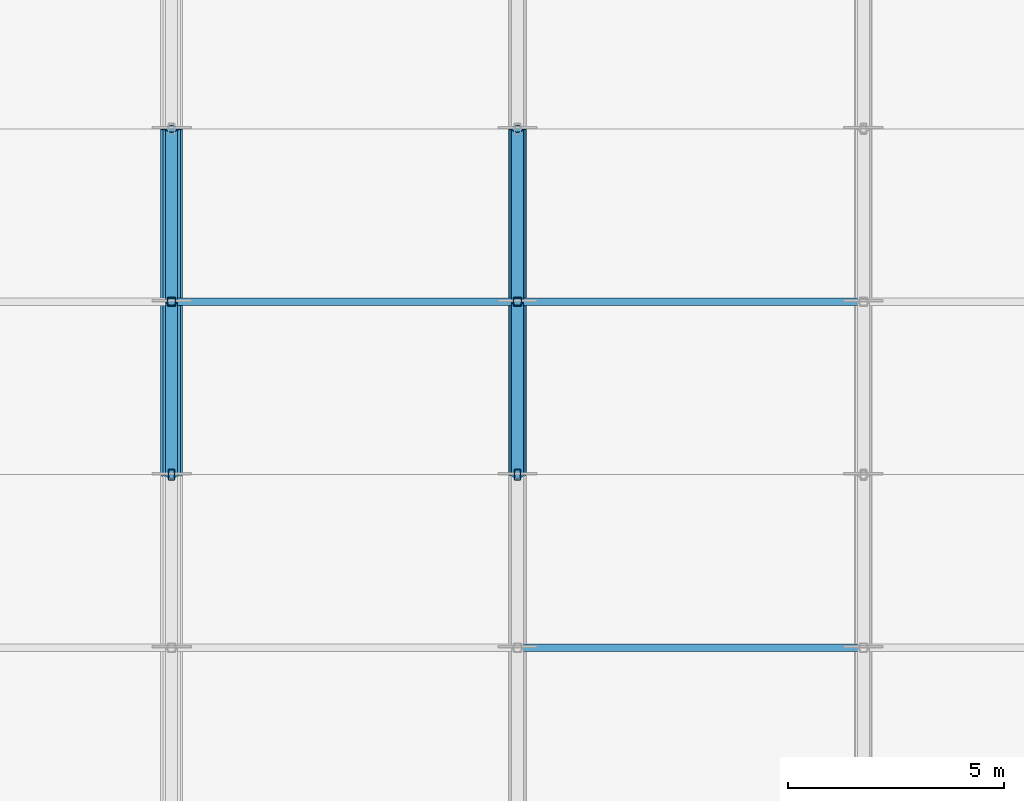
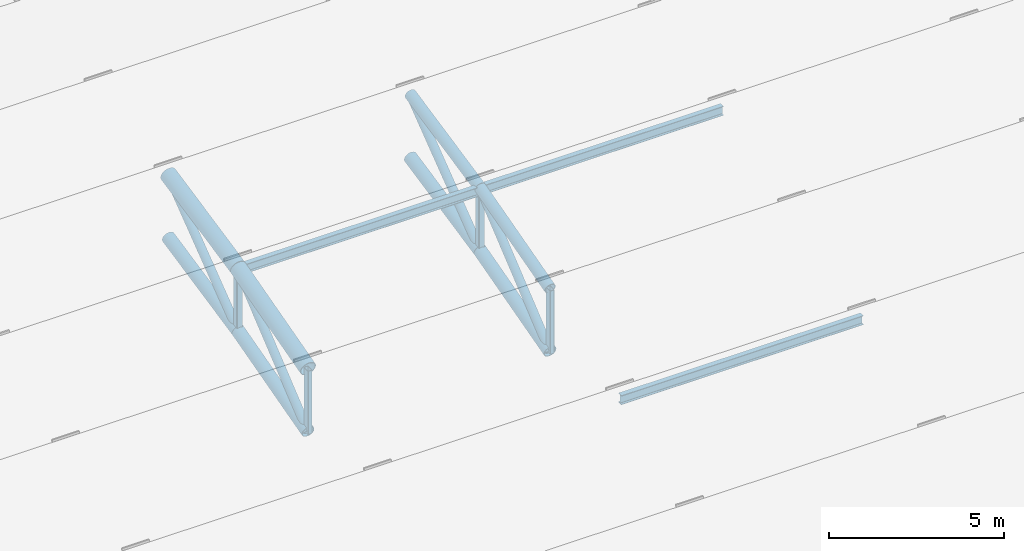
# One storey, part 12 of 98: 19 members.
"""IFC4 building model written with IfcOpenShell, lengths in metres."""

from ifc_helpers import new_model, si_unit, direction, frame, origin, origin_2d, place, context, subcontext, project, spatial, hollow_rectangle, hollow_circle, i_section, extrude, material, material_profile, profile_set, type_object, element, save


model = new_model("IFC4")

# Units and contexts
model_context = context("Model", 3, precision=1e-05, world=origin(), true_north=direction((0.0, 1.0)))
body_context = subcontext(model_context, "Body", "Model", "MODEL_VIEW")
ifc_project = project(units=[si_unit("LENGTHUNIT", "METRE"), si_unit("AREAUNIT", "SQUARE_METRE"), si_unit("VOLUMEUNIT", "CUBIC_METRE"), si_unit("PLANEANGLEUNIT", "RADIAN"), si_unit("MASSUNIT", "GRAM", prefix="KILO")], contexts=[model_context])

# Site, building, storey
site_placement = place(None, origin())
site = spatial("IfcSite", under=ifc_project, at=site_placement, CompositionType="ELEMENT")
building_placement = place(site_placement, origin())
building = spatial("IfcBuilding", under=site, at=building_placement, Name="Tlacozan Convention Centre", CompositionType="ELEMENT")
storey_placement = place(building_placement, frame((0.0, 0.0, 25.800048828125)))
storey = spatial("IfcBuildingStorey", under=building, at=storey_placement, Name="Roof", CompositionType="ELEMENT", Elevation=25.800048828125)

# Members
ifc_material_1 = material(Name="Steel ASTM A500 Grade C", Category="steel")
ifc_material_profile_1 = material_profile(ifc_material_1, hollow_circle(Radius=0.203125, WallThickness=0.015869140625, at=origin_2d()), Name="OC 406.4x15.9")
ifc_profile_set_1 = profile_set([ifc_material_profile_1], Name="Steel ASTM A500 Grade C")
member_type_1 = type_object("IfcMemberType", Name="Arch Bottom Chord OC 406.4x15.9", PredefinedType="CHORD", material=ifc_profile_set_1)
member_1_placement = place(storey_placement, frame((48.0, 74.0, -7.807861328125), z_axis=(0.0, 0.964289609145, 0.26485005134), x_axis=(-1.0, 0.0, 0.0)))
element("IfcMember", 1, at=member_1_placement, inside=storey, type_object=member_type_1, Name="V2A Roof Truss 7 Bottom Chord 4", PredefinedType="CHORD", context=body_context, shape_type="SweptSolid", body=[
    extrude(hollow_circle(Radius=0.203125, WallThickness=0.015869140625, at=origin_2d()), origin(), (0.0, 0.0, 1.0), 4.148193359375),
])
member_2_placement = place(storey_placement, frame((48.0, 78.0, -6.709228515625), z_axis=(0.0, 0.978552953366, 0.205995430674), x_axis=(-1.0, 0.0, 0.0)))
element("IfcMember", 2, at=member_2_placement, inside=storey, type_object=member_type_1, Name="V2A Roof Truss 7 Bottom Chord 5", PredefinedType="CHORD", context=body_context, shape_type="SweptSolid", body=[
    extrude(hollow_circle(Radius=0.203125, WallThickness=0.015869140625, at=origin_2d()), origin(), (0.0, 0.0, 1.0), 4.087646484375),
])
member_3_placement = place(storey_placement, frame((56.0, 74.0, -7.807861328125), z_axis=(0.0, 0.964289609145, 0.26485005134), x_axis=(-1.0, 0.0, 0.0)))
element("IfcMember", 3, at=member_3_placement, inside=storey, type_object=member_type_1, Name="V2A Roof Truss 8 Bottom Chord 4", PredefinedType="CHORD", context=body_context, shape_type="SweptSolid", body=[
    extrude(hollow_circle(Radius=0.203125, WallThickness=0.015869140625, at=origin_2d()), origin(), (0.0, 0.0, 1.0), 4.148193359375),
])
member_4_placement = place(storey_placement, frame((56.0, 78.0, -6.709228515625), z_axis=(0.0, 0.978552953366, 0.205995430674), x_axis=(-1.0, 0.0, 0.0)))
element("IfcMember", 4, at=member_4_placement, inside=storey, type_object=member_type_1, Name="V2A Roof Truss 8 Bottom Chord 5", PredefinedType="CHORD", context=body_context, shape_type="SweptSolid", body=[
    extrude(hollow_circle(Radius=0.203125, WallThickness=0.015869140625, at=origin_2d()), origin(), (0.0, 0.0, 1.0), 4.087646484375),
])
ifc_material_profile_2 = material_profile(ifc_material_1, hollow_circle(Radius=0.25390625, WallThickness=0.01904296875, at=origin_2d()), Name="OC 508.0x19.1")
ifc_profile_set_2 = profile_set([ifc_material_profile_2], Name="Steel ASTM A500 Grade C")
member_type_2 = type_object("IfcMemberType", Name="Arch Top Chord OC 508x19.1", PredefinedType="CHORD", material=ifc_profile_set_2)
member_5_placement = place(storey_placement, frame((48.0, 74.0, -5.607666015625), z_axis=(0.0, 0.964304639076, 0.264795322949), x_axis=(-1.0, 0.0, 0.0)))
element("IfcMember", 5, at=member_5_placement, inside=storey, type_object=member_type_2, Name="V2A Roof Truss 7 Top Chord 4", PredefinedType="CHORD", context=body_context, shape_type="SweptSolid", body=[
    extrude(hollow_circle(Radius=0.25390625, WallThickness=0.01904296875, at=origin_2d()), origin(), (0.0, 0.0, 1.0), 4.14794921875),
])
member_6_placement = place(storey_placement, frame((48.0, 78.0, -4.50927734375), z_axis=(0.0, 0.978552953366, 0.205995430674), x_axis=(-1.0, 0.0, 0.0)))
element("IfcMember", 6, at=member_6_placement, inside=storey, type_object=member_type_2, Name="V2A Roof Truss 7 Top Chord 5", PredefinedType="CHORD", context=body_context, shape_type="SweptSolid", body=[
    extrude(hollow_circle(Radius=0.25390625, WallThickness=0.01904296875, at=origin_2d()), origin(), (0.0, 0.0, 1.0), 4.087646484375),
])
ifc_material_profile_3 = material_profile(ifc_material_1, hollow_circle(Radius=0.136474609375, WallThickness=0.0126953125, at=origin_2d()), Name="OC 273.1x12.7")
ifc_profile_set_3 = profile_set([ifc_material_profile_3], Name="Steel ASTM A500 Grade C")
member_type_3 = type_object("IfcMemberType", Name="Arch Web Diagonal OC 273.1x12.7", PredefinedType="BRACE", material=ifc_profile_set_3)
member_7_placement = place(storey_placement, frame((48.0, 74.0, -7.807861328125), z_axis=(0.0, 0.771507331308, 0.63622043172), x_axis=(-1.0, 0.0, 0.0)))
element("IfcMember", 7, at=member_7_placement, inside=storey, type_object=member_type_3, Name="V2A Roof Truss 7 Web Diagonal 4", PredefinedType="BRACE", context=body_context, shape_type="SweptSolid", body=[
    extrude(hollow_circle(Radius=0.136474609375, WallThickness=0.0126953125, at=origin_2d()), origin(), (0.0, 0.0, 1.0), 5.1845703125),
])
member_8_placement = place(storey_placement, frame((48.0, 78.0, -6.709228515625), z_axis=(0.0, 0.795971176065, 0.605334524766), x_axis=(-1.0, 0.0, 0.0)))
element("IfcMember", 8, at=member_8_placement, inside=storey, type_object=member_type_3, Name="V2A Roof Truss 7 Web Diagonal 5", PredefinedType="BRACE", context=body_context, shape_type="SweptSolid", body=[
    extrude(hollow_circle(Radius=0.136474609375, WallThickness=0.0126953125, at=origin_2d()), origin(), (0.0, 0.0, 1.0), 5.025390625),
])
member_9_placement = place(storey_placement, frame((56.0, 74.0, -7.807861328125), z_axis=(0.0, 0.771507331308, 0.63622043172), x_axis=(-1.0, 0.0, 0.0)))
element("IfcMember", 9, at=member_9_placement, inside=storey, type_object=member_type_3, Name="V2A Roof Truss 8 Web Diagonal 4", PredefinedType="BRACE", context=body_context, shape_type="SweptSolid", body=[
    extrude(hollow_circle(Radius=0.136474609375, WallThickness=0.0126953125, at=origin_2d()), origin(), (0.0, 0.0, 1.0), 5.1845703125),
])
member_10_placement = place(storey_placement, frame((56.0, 78.0, -6.709228515625), z_axis=(0.0, 0.795971176065, 0.605334524766), x_axis=(-1.0, 0.0, 0.0)))
element("IfcMember", 10, at=member_10_placement, inside=storey, type_object=member_type_3, Name="V2A Roof Truss 8 Web Diagonal 5", PredefinedType="BRACE", context=body_context, shape_type="SweptSolid", body=[
    extrude(hollow_circle(Radius=0.136474609375, WallThickness=0.0126953125, at=origin_2d()), origin(), (0.0, 0.0, 1.0), 5.025390625),
])
ifc_material_profile_4 = material_profile(ifc_material_1, hollow_rectangle(XDim=0.203125, YDim=0.203125, WallThickness=0.0126953125, InnerFilletRadius=0.0126953125, OuterFilletRadius=0.02490234375, at=origin_2d()), Name="OR 203x203x12.7")
ifc_profile_set_4 = profile_set([ifc_material_profile_4], Name="Steel ASTM A500 Grade C")
member_type_4 = type_object("IfcMemberType", Name="Arch Web Strut OR 203x203x12.7", PredefinedType="STRUT", material=ifc_profile_set_4)
for number, where, z_axis, x_axis, name in (
    (11, (48.0, 78.0, -6.709228515625), (0.0, 0.0, 1.0), (1.0, 0.0, 0.0), "V2A Roof Truss 7 Vertical Strut 5"),
    (12, (56.0, 78.0, -6.709228515625), (0.0, 0.0, 1.0), (1.0, 0.0, 0.0), "V2A Roof Truss 8 Vertical Strut 5"),
):
    element("IfcMember", number, at=place(storey_placement, frame(where, z_axis=z_axis, x_axis=x_axis)), inside=storey, type_object=member_type_4, Name=name, PredefinedType="STRUT", context=body_context, shape_type="SweptSolid", body=[
        extrude(hollow_rectangle(XDim=0.203125, YDim=0.203125, WallThickness=0.0126953125, InnerFilletRadius=0.0126953125, OuterFilletRadius=0.02490234375, at=origin_2d()), origin(), (0.0, 0.0, 1.0), 2.199951171875),
    ])
ifc_material_2 = material(Name="Steel ASTM A992 Grade 50", Category="steel")
ifc_material_profile_5 = material_profile(ifc_material_2, i_section(OverallWidth=0.1669921875, OverallDepth=0.31689453125, WebThickness=0.007568359375, FlangeThickness=0.01318359375, FilletRadius=0.010009765625, at=origin_2d()), Name="IR 305x52.2")
ifc_profile_set_5 = profile_set([ifc_material_profile_5], Name="Steel ASTM A992 Grade 50")
member_type_5 = type_object("IfcMemberType", Name="Roof Purlin IR 305x52.2", PredefinedType="PURLIN", material=ifc_profile_set_5)
for number, where, z_axis, x_axis, name in (
    (13, (48.0, 78.0, -4.57421875), (1.0, 0.0, 0.0), (0.0, 1.0, 0.0), "V2A Roof Truss Purlin 7.5"),
    (14, (56.0, 70.0, -7.041259765625), (1.0, 0.0, 0.0), (0.0, 1.0, 0.0), "V2A Roof Truss Purlin 8.3"),
    (15, (56.0, 78.0, -4.57421875), (1.0, 0.0, 0.0), (0.0, 1.0, 0.0), "V2A Roof Truss Purlin 8.5"),
):
    element("IfcMember", number, at=place(storey_placement, frame(where, z_axis=z_axis, x_axis=x_axis)), inside=storey, type_object=member_type_5, Name=name, PredefinedType="PURLIN", context=body_context, shape_type="SweptSolid", body=[
        extrude(i_section(OverallWidth=0.1669921875, OverallDepth=0.31689453125, WebThickness=0.007568359375, FlangeThickness=0.01318359375, FilletRadius=0.010009765625, at=origin_2d()), origin(), (0.0, 0.0, 1.0), 8.0),
    ])
ifc_material_profile_6 = material_profile(ifc_material_1, hollow_circle(Radius=0.177734375, WallThickness=0.015869140625, at=origin_2d()), Name="OC 355.6x15.9")
ifc_profile_set_6 = profile_set([ifc_material_profile_6], Name="Steel ASTM A500 Grade C")
member_type_6 = type_object("IfcMemberType", Name="Secondary Arch Chord OC 355.6x15.9", PredefinedType="CHORD", material=ifc_profile_set_6)
member_11_placement = place(storey_placement, frame((56.0, 74.0, -5.607666015625), z_axis=(0.0, 0.964304639076, 0.264795322949), x_axis=(-1.0, 0.0, 0.0)))
element("IfcMember", 16, at=member_11_placement, inside=storey, type_object=member_type_6, Name="V2A Roof Truss 8 Top Chord 4", PredefinedType="CHORD", context=body_context, shape_type="SweptSolid", body=[
    extrude(hollow_circle(Radius=0.177734375, WallThickness=0.015869140625, at=origin_2d()), origin(), (0.0, 0.0, 1.0), 4.14794921875),
])
member_12_placement = place(storey_placement, frame((56.0, 78.0, -4.50927734375), z_axis=(0.0, 0.978552953366, 0.205995430674), x_axis=(-1.0, 0.0, 0.0)))
element("IfcMember", 17, at=member_12_placement, inside=storey, type_object=member_type_6, Name="V2A Roof Truss 8 Top Chord 5", PredefinedType="CHORD", context=body_context, shape_type="SweptSolid", body=[
    extrude(hollow_circle(Radius=0.177734375, WallThickness=0.015869140625, at=origin_2d()), origin(), (0.0, 0.0, 1.0), 4.087646484375),
])
ifc_material_profile_7 = material_profile(ifc_material_1, hollow_rectangle(XDim=0.15234375, YDim=0.25390625, WallThickness=0.0126953125, InnerFilletRadius=0.0126953125, OuterFilletRadius=0.02490234375, at=origin_2d()), Name="OR 254x152x12.7")
ifc_profile_set_7 = profile_set([ifc_material_profile_7], Name="Steel ASTM A500 Grade C")
member_type_7 = type_object("IfcMemberType", Name="Truss Secondary Strut OR 254x152x12.7", PredefinedType="STRUT", material=ifc_profile_set_7)
for number, where, z_axis, x_axis, name in (
    (18, (48.0, 74.0, -7.807861328125), (0.0, 0.0, 1.0), (1.0, 0.0, 0.0), "V2A Roof Truss 7 Vertical Strut 4"),
    (19, (56.0, 74.0, -7.807861328125), (0.0, 0.0, 1.0), (1.0, 0.0, 0.0), "V2A Roof Truss 8 Vertical Strut 4"),
):
    element("IfcMember", number, at=place(storey_placement, frame(where, z_axis=z_axis, x_axis=x_axis)), inside=storey, type_object=member_type_7, Name=name, PredefinedType="STRUT", context=body_context, shape_type="SweptSolid", body=[
        extrude(hollow_rectangle(XDim=0.15234375, YDim=0.25390625, WallThickness=0.0126953125, InnerFilletRadius=0.0126953125, OuterFilletRadius=0.02490234375, at=origin_2d()), origin(), (0.0, 0.0, 1.0), 2.2001953125),
    ])

save(model, "model.ifc")
